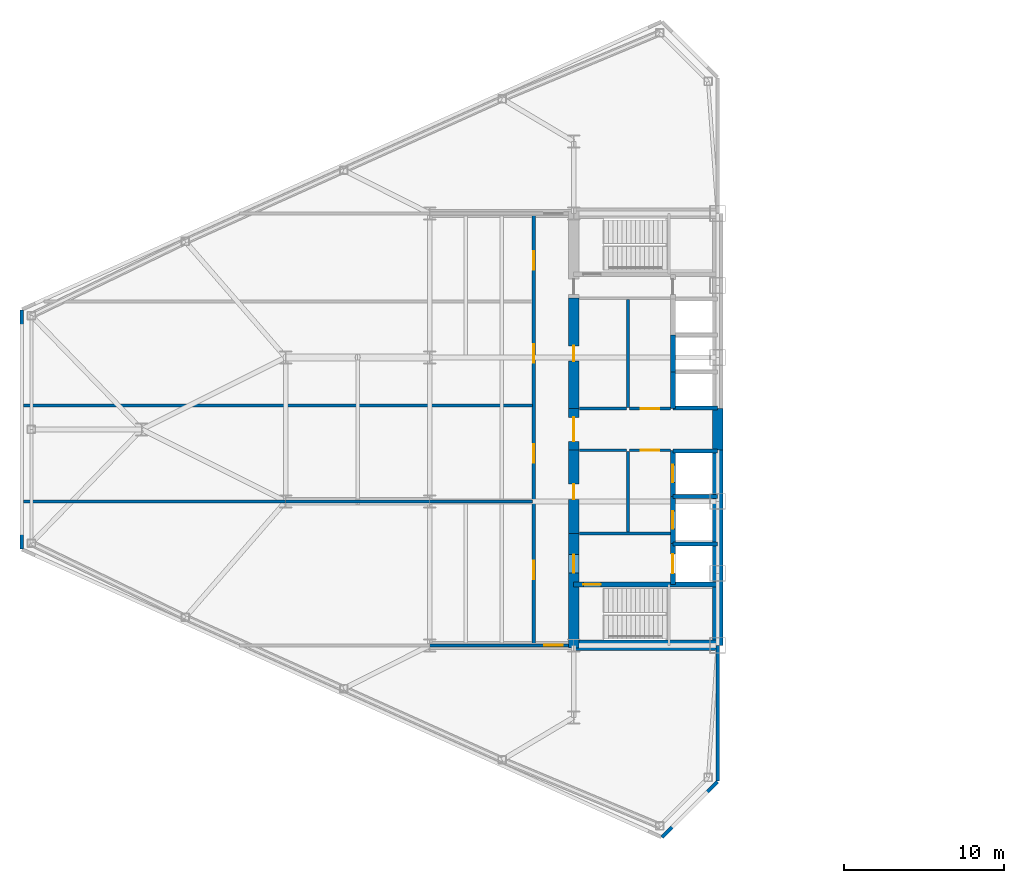
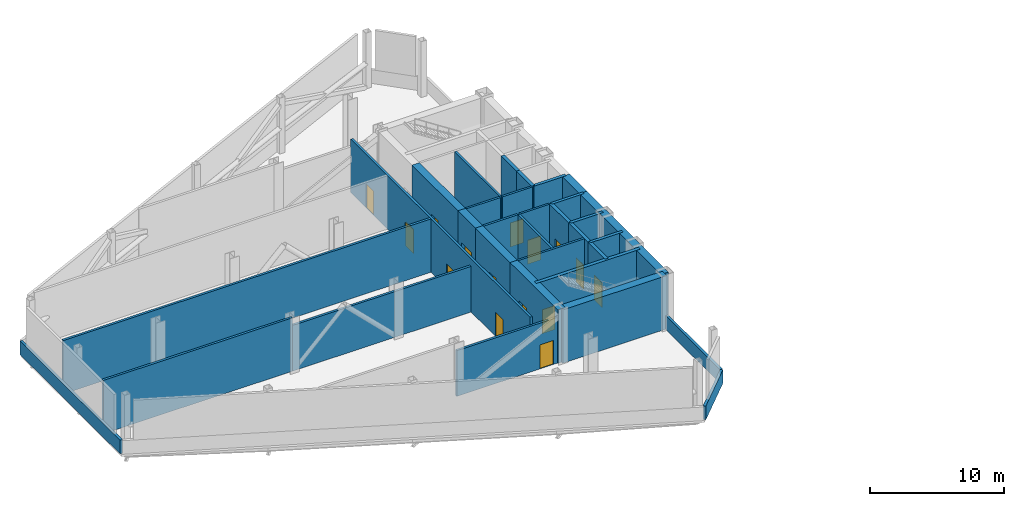
# One storey, part 6 of 11: 32 walls, 15 doors, 15 openings.
"""IFC4 building model written with IfcOpenShell, lengths in metres."""

import ifcopenshell
import ifcopenshell.guid

model = None  # the IFC model being written
_history = None  # IfcOwnerHistory: only IFC2X3 demands one
_inside = {}  # id of a spatial element -> (the spatial element, [elements in it])
_under = {}  # id of a project, library or spatial element -> (it, [spatial elements below it])
_declared = {}  # id of a project -> (the project, [libraries it declares])
_typed = {}  # id of a type object -> (the type object, [elements of that type])
_made_of = {}  # id of a material, layer set ... -> (it, [elements and type objects made of it])


def new_model(schema):
    """Start an empty IFC model of exactly this schema.

    Asked for "IFC4X3", IfcOpenShell would pick the latest addendum, in which some entities
    have other attributes; the version numbers below select the first issue.
    IFC2X3 requires an IfcOwnerHistory on every rooted entity: one is made here for all.
    """
    global model, _history
    if schema == "IFC4X3":
        model = ifcopenshell.file(schema_version=(4, 3, 0, 0))
    else:
        model = ifcopenshell.file(schema=schema)
    _inside.clear()
    _under.clear()
    _declared.clear()
    _typed.clear()
    _made_of.clear()
    _history = None
    if model.schema == "IFC2X3":
        org = make("IfcOrganization", Name="unknown")
        user = make(
            "IfcPersonAndOrganization",
            ThePerson=make("IfcPerson", FamilyName="unknown"),
            TheOrganization=org,
        )
        app = make(
            "IfcApplication",
            ApplicationDeveloper=org,
            Version="unknown",
            ApplicationFullName="unknown",
            ApplicationIdentifier="unknown",
        )
        _history = make(
            "IfcOwnerHistory",
            OwningUser=user,
            OwningApplication=app,
            ChangeAction="ADDED",
            CreationDate=0,
        )
    return model


def make(cls, **values):
    """One entity of the class cls with the attributes given. An attribute that is None is left unset."""
    return model.create_entity(
        cls, **{name: value for name, value in values.items() if value is not None}
    )


def rooted(cls, **values):
    """An entity with a GlobalId (a new one), such as an element, a storey or a relation."""
    return make(cls, GlobalId=ifcopenshell.guid.new(), OwnerHistory=_history, **values)


def si_unit(unit_type, name, prefix=None):
    """IfcSIUnit, for example si_unit("LENGTHUNIT", "METRE", prefix="MILLI")."""
    return make("IfcSIUnit", UnitType=unit_type, Prefix=prefix, Name=name)


def assignment(units):
    """IfcUnitAssignment: the units of a project."""
    return None if units is None else make("IfcUnitAssignment", Units=units)


def point(xyz):
    """IfcCartesianPoint."""
    return None if xyz is None else make("IfcCartesianPoint", Coordinates=xyz)


def direction(xyz):
    """IfcDirection."""
    return None if xyz is None else make("IfcDirection", DirectionRatios=xyz)


def frame(location, z_axis=None, x_axis=None):
    """IfcAxis2Placement3D, a coordinate frame: its origin and axes. An axis left out is left unset."""
    return make(
        "IfcAxis2Placement3D",
        Location=point(location),
        Axis=direction(z_axis),
        RefDirection=direction(x_axis),
    )


def frame_2d(location, x_axis=None):
    """IfcAxis2Placement2D, a coordinate frame in the plane: its origin and x axis."""
    return make(
        "IfcAxis2Placement2D", Location=point(location), RefDirection=direction(x_axis)
    )


def origin():
    """The frame at (0, 0, 0) with its axes left unset."""
    return frame((0.0, 0.0, 0.0))


def place(relative_to, where):
    """IfcLocalPlacement: puts the frame where relative to a parent placement (None: the world)."""
    return make(
        "IfcLocalPlacement", PlacementRelTo=relative_to, RelativePlacement=where
    )


def context(
    kind, dimensions, precision=None, world=None, true_north=None, identifier=None
):
    """IfcGeometricRepresentationContext, for example the 3D "Model" context."""
    return make(
        "IfcGeometricRepresentationContext",
        ContextIdentifier=identifier,
        ContextType=kind,
        CoordinateSpaceDimension=dimensions,
        Precision=precision,
        WorldCoordinateSystem=world,
        TrueNorth=true_north,
    )


def subcontext(parent, identifier, kind, view, scale=None):
    """IfcGeometricRepresentationSubContext, for example "Body" below "Model"."""
    return make(
        "IfcGeometricRepresentationSubContext",
        ContextIdentifier=identifier,
        ContextType=kind,
        ParentContext=parent,
        TargetScale=scale,
        TargetView=view,
    )


def project(units=None, contexts=None):
    """IfcProject with its units and contexts."""
    return rooted(
        "IfcProject",
        Name="project",
        RepresentationContexts=contexts,
        UnitsInContext=assignment(units),
    )


def spatial(cls, under=None, at=None, **own):
    """A site, building, storey or space (cls), placed at a placement, below another one or the project."""
    s = rooted(cls, ObjectPlacement=at, **own)
    if under is not None:
        _under.setdefault(under.id(), (under, []))[1].append(s)
    return s


def profile(cls, at=None, kind="AREA", **sizes):
    """A parametric profile (cls). Its sizes go by their IFC names, for example OverallWidth=200.0."""
    return make(cls, ProfileType=kind, Position=at, **sizes)


def rectangle(**sizes):
    """IfcRectangleProfileDef."""
    return profile("IfcRectangleProfileDef", **sizes)


def extrude(swept, where, along, depth):
    """IfcExtrudedAreaSolid: the profile swept, set in the frame where, extruded along a direction by depth."""
    return make(
        "IfcExtrudedAreaSolid",
        SweptArea=swept,
        Position=where,
        ExtrudedDirection=direction(along),
        Depth=depth,
    )


def shape(context_of_items, identifier, shape_type, items):
    """IfcShapeRepresentation: the items that make up one representation, for example the "Body"."""
    return make(
        "IfcShapeRepresentation",
        ContextOfItems=context_of_items,
        RepresentationIdentifier=identifier,
        RepresentationType=shape_type,
        Items=items,
    )


def source(mapping_origin, context_of_items, identifier, shape_type, items):
    """IfcRepresentationMap: a shape defined once, which mapped items show again and again."""
    return make(
        "IfcRepresentationMap",
        MappingOrigin=mapping_origin,
        MappedRepresentation=shape(context_of_items, identifier, shape_type, items),
    )


def transform(
    local_origin,
    x_axis=None,
    y_axis=None,
    z_axis=None,
    scale=None,
    scale2=None,
    scale3=None,
    uniform=True,
):
    """IfcCartesianTransformationOperator3D, or its non-uniform kind. x_axis, y_axis, z_axis: its Axis1, 2, 3."""
    if uniform:
        return make(
            "IfcCartesianTransformationOperator3D",
            Axis1=direction(x_axis),
            Axis2=direction(y_axis),
            LocalOrigin=point(local_origin),
            Scale=scale,
            Axis3=direction(z_axis),
        )
    return make(
        "IfcCartesianTransformationOperator3DnonUniform",
        Axis1=direction(x_axis),
        Axis2=direction(y_axis),
        LocalOrigin=point(local_origin),
        Scale=scale,
        Axis3=direction(z_axis),
        Scale2=scale2,
        Scale3=scale3,
    )


def mapped(mapping_source, mapping_target):
    """IfcMappedItem: shows the shape of a source again, moved by a transform."""
    return make(
        "IfcMappedItem", MappingSource=mapping_source, MappingTarget=mapping_target
    )


def material(Name=None, Category=None):
    """IfcMaterial."""
    return make("IfcMaterial", Name=Name, Category=Category)


def layer(
    of_material, thickness, ventilated=None, Name=None, Category=None, Priority=None
):
    """IfcMaterialLayer: one layer of a wall or slab, of a material (None: an air gap)."""
    return make(
        "IfcMaterialLayer",
        Material=of_material,
        LayerThickness=thickness,
        IsVentilated=ventilated,
        Name=Name,
        Category=Category,
        Priority=Priority,
    )


def layer_set(layers, Name=None):
    """IfcMaterialLayerSet."""
    return make("IfcMaterialLayerSet", MaterialLayers=layers, LayerSetName=Name)


def made_of(thing, what):
    """Note that an element or type object is made of a material, layer set ...; save() writes the relation."""
    if what is not None:
        _made_of.setdefault(what.id(), (what, []))[1].append(thing)
    return thing


def type_object(cls, material=None, **own):
    """A type object (cls), such as IfcWallType, which elements share."""
    return made_of(rooted(cls, **own), material)


def type_shapes(of_type, sources):
    """Give a type object the sources (RepresentationMaps) that its elements show as mapped items."""
    of_type.RepresentationMaps = sources


def element(
    cls,
    number,
    at=None,
    inside=None,
    cuts=None,
    type_object=None,
    material=None,
    context=None,
    identifier="Body",
    shape_type=None,
    held_by="IfcProductDefinitionShape",
    body=None,
    shapes=None,
    **own,
):
    """One element of the class cls, such as IfcWall. Its Tag is "e" and its number.

    at: its placement. inside: the storey or other place that contains it. cuts: it is an
    opening in that element (IfcRelVoidsElement). A single representation is given by context,
    identifier, shape_type and body (its items); several are given by shapes. held_by: the class
    of the entity that holds the representations. save() writes the other relations.
    """
    e = rooted(cls, Tag="e%d" % number, ObjectPlacement=at, **own)
    if body is not None:
        shapes = [shape(context, identifier, shape_type, body)]
    if shapes is not None:
        e.Representation = make(held_by, Representations=shapes)
    if inside is not None:
        _inside.setdefault(inside.id(), (inside, []))[1].append(e)
    if cuts is not None:
        rooted(
            "IfcRelVoidsElement", RelatingBuildingElement=cuts, RelatedOpeningElement=e
        )
    if type_object is not None:
        _typed.setdefault(type_object.id(), (type_object, []))[1].append(e)
    return made_of(e, material)


def fill(opening, filler):
    """IfcRelFillsElement: the door or window that sits in an opening."""
    return rooted(
        "IfcRelFillsElement",
        RelatingOpeningElement=opening,
        RelatedBuildingElement=filler,
    )


def aggregate(whole, parts):
    """IfcRelAggregates: a whole, such as a stair, and the parts it consists of."""
    return rooted("IfcRelAggregates", RelatingObject=whole, RelatedObjects=parts)


def save(model, path):
    """Write the relations noted so far, then the file.

    IfcRelAggregates (storeys below a building ...), IfcRelContainedInSpatialStructure (elements
    in a storey), IfcRelDefinesByType, IfcRelAssociatesMaterial and IfcRelDeclares: one each for
    every whole, place, type object, material and project.
    """
    for whole, parts in _under.values():
        aggregate(whole, parts)
    for where, things in _inside.values():
        rooted(
            "IfcRelContainedInSpatialStructure",
            RelatedElements=things,
            RelatingStructure=where,
        )
    for kind, things in _typed.values():
        rooted("IfcRelDefinesByType", RelatedObjects=things, RelatingType=kind)
    for what, things in _made_of.values():
        rooted("IfcRelAssociatesMaterial", RelatedObjects=things, RelatingMaterial=what)
    for by, libraries in _declared.values():
        rooted("IfcRelDeclares", RelatingContext=by, RelatedDefinitions=libraries)
    model.write(path)


model = new_model("IFC4")

# Units and contexts
model_context = context("Model", 3, precision=1e-05, world=origin(), true_north=direction((0.0, 1.0)))
body_context = subcontext(model_context, "Body", "Model", "MODEL_VIEW")
ifc_project = project(units=[si_unit("LENGTHUNIT", "METRE"), si_unit("AREAUNIT", "SQUARE_METRE"), si_unit("VOLUMEUNIT", "CUBIC_METRE"), si_unit("PLANEANGLEUNIT", "RADIAN"), si_unit("MASSUNIT", "GRAM", prefix="KILO")], contexts=[model_context])

# Site, building, storey
site_placement = place(None, origin())
site = spatial("IfcSite", under=ifc_project, at=site_placement, CompositionType="ELEMENT")
building_placement = place(site_placement, origin())
building = spatial("IfcBuilding", under=site, at=building_placement, Name="Seokmaru Belvedere", CompositionType="ELEMENT")
storey_placement = place(building_placement, frame((0.0, 0.0, 87.300048828125)))
storey = spatial("IfcBuildingStorey", under=building, at=storey_placement, Name="L23", CompositionType="ELEMENT", Elevation=87.300048828125)

# Walls
ifc_material_1 = material(Name="Fire-Rated Gypsum Shaftwall")
ifc_layer_1 = layer(ifc_material_1, 0.179931640625)
ifc_layer_set_1 = layer_set([ifc_layer_1], Name="Fire-Rated Gypsum Shaftwall")
wall_type_1 = type_object("IfcWallType", Name="Core Service Fire Partition 180", PredefinedType="PARTITIONING", material=ifc_layer_set_1)
wall_1_placement = place(storey_placement, frame((-36.14990234375, -6.5, 0.0), z_axis=(0.0, 0.0, 1.0), x_axis=(1.0, 0.0, 0.0)))
element("IfcWall", 1, at=wall_1_placement, inside=storey, type_object=wall_type_1, Name="L23 West Firefighting Lobby Partition", PredefinedType="PARTITIONING", context=body_context, shape_type="SweptSolid", body=[
    extrude(rectangle(XDim=5.699951171875, YDim=0.179931640625, at=frame_2d((2.85009765625, 0.0))), origin(), (0.0, 0.0, 1.0), 4.8798828125),
])
wall_2_placement = place(storey_placement, frame((-33.10009765625, -6.419921875, 0.0), z_axis=(0.0, 0.0, 1.0), x_axis=(0.0, 1.0, 0.0)))
element("IfcWall", 2, at=wall_2_placement, inside=storey, type_object=wall_type_1, Name="L23 West South Core Service Back Wall", PredefinedType="PARTITIONING", context=body_context, shape_type="SweptSolid", body=[
    extrude(rectangle(XDim=5.0400390625, YDim=0.179931640625, at=frame_2d((2.52001953125, 0.0))), origin(), (0.0, 0.0, 1.0), 4.8798828125),
])
wall_3_placement = place(storey_placement, frame((-33.10009765625, 1.3798828125, 0.0), z_axis=(0.0, 0.0, 1.0), x_axis=(0.0, 1.0, 0.0)))
element("IfcWall", 3, at=wall_3_placement, inside=storey, type_object=wall_type_1, Name="L23 West North Core Service Back Wall", PredefinedType="PARTITIONING", context=body_context, shape_type="SweptSolid", body=[
    extrude(rectangle(XDim=6.740234375, YDim=0.179931640625, at=frame_2d((3.3701171875, 0.0))), origin(), (0.0, 0.0, 1.0), 4.8798828125),
])

# Wall, opening, door
wall_4_placement = place(storey_placement, frame((-33.02001953125, -1.300048828125, 0.0), z_axis=(0.0, 0.0, 1.0), x_axis=(1.0, 0.0, 0.0)))
wall_4 = element("IfcWall", 4, at=wall_4_placement, inside=storey, type_object=wall_type_1, Name="L23 West South Lift Lobby Foyer Wall", PredefinedType="PARTITIONING", context=body_context, shape_type="SweptSolid", body=[
    extrude(rectangle(XDim=2.570068359375, YDim=0.179931640625, at=frame_2d((1.28515625, 0.0))), origin(), (0.0, 0.0, 1.0), 4.8798828125),
])
opening_1_placement = place(wall_4_placement, frame((0.7099609375, 0.0, 0.0)))
opening_1 = element("IfcOpeningElement", 5, at=opening_1_placement, cuts=wall_4, Name="Opening D02", PredefinedType="OPENING", context=body_context, shape_type="SweptSolid", body=[
    extrude(rectangle(XDim=1.14990234375, YDim=2.199951171875, at=frame_2d((0.574951171875, 1.10009765625))), frame((0.0, 0.10009765625, 0.0), z_axis=(0.0, -1.0, 0.0), x_axis=(1.0, 0.0, 0.0)), (0.0, 0.0, 1.0), 0.199951171875),
])
ifc_material_2 = material(Name="Fire-Rated Steel Leaf", Category="steel")
door_type_1 = type_object("IfcDoorType", Name="Lobby and Vestibule Fire Door 1150x2200", OperationType="NOTDEFINED", PredefinedType="DOOR", material=ifc_material_2)
shared_shape_1 = source(origin(), body_context, "Body", "SweptSolid", [
    extrude(rectangle(XDim=1.14990234375, YDim=2.199951171875, at=frame_2d((0.574951171875, 1.10009765625))), frame((0.0, 0.02490234375, 0.0), z_axis=(0.0, -1.0, 0.0), x_axis=(1.0, 0.0, 0.0)), (0.0, 0.0, 1.0), 0.050048828125),
])
type_shapes(door_type_1, [shared_shape_1])
door_1_placement = place(opening_1_placement, origin())
door_1 = element("IfcDoor", 6, at=door_1_placement, inside=storey, type_object=door_type_1, Name="L23 West South Core Foyer Door", OperationType="SINGLE_SWING_LEFT", OverallHeight=2.199951171875, OverallWidth=1.14990234375, PredefinedType="DOOR", context=body_context, shape_type="MappedRepresentation", body=[
    mapped(shared_shape_1, transform((0.0, 0.0, 0.0), scale=1.0)),
])
fill(opening_1, door_1)

wall_5_placement = place(storey_placement, frame((-33.02001953125, 1.300048828125, 0.0), z_axis=(0.0, 0.0, 1.0), x_axis=(1.0, 0.0, 0.0)))
wall_5 = element("IfcWall", 7, at=wall_5_placement, inside=storey, type_object=wall_type_1, Name="L23 West North Lift Lobby Foyer Wall", PredefinedType="PARTITIONING", context=body_context, shape_type="SweptSolid", body=[
    extrude(rectangle(XDim=2.570068359375, YDim=0.179931640625, at=frame_2d((1.28515625, 0.0))), origin(), (0.0, 0.0, 1.0), 4.8798828125),
])
opening_2_placement = place(wall_5_placement, frame((0.7099609375, 0.0, 0.0)))
opening_2 = element("IfcOpeningElement", 8, at=opening_2_placement, cuts=wall_5, Name="Opening D02", PredefinedType="OPENING", context=body_context, shape_type="SweptSolid", body=[
    extrude(rectangle(XDim=1.14990234375, YDim=2.199951171875, at=frame_2d((0.574951171875, 1.10009765625))), frame((0.0, 0.10009765625, 0.0), z_axis=(0.0, -1.0, 0.0), x_axis=(1.0, 0.0, 0.0)), (0.0, 0.0, 1.0), 0.199951171875),
])
door_2_placement = place(opening_2_placement, origin())
door_2 = element("IfcDoor", 9, at=door_2_placement, inside=storey, type_object=door_type_1, Name="L23 West North Lift Lobby Door", OperationType="SINGLE_SWING_RIGHT", OverallHeight=2.199951171875, OverallWidth=1.14990234375, PredefinedType="DOOR", context=body_context, shape_type="MappedRepresentation", body=[
    mapped(shared_shape_1, transform((0.0, 0.0, 0.0), scale=1.0)),
])
fill(opening_2, door_2)

# Walls
for number, where, z_axis, x_axis, name in (
    (10, (-36.14990234375, -1.300048828125, 0.0), (0.0, 0.0, 1.0), (1.0, 0.0, 0.0), "L23 West Foyer Side Wall S"),
    (11, (-36.14990234375, 1.300048828125, 0.0), (0.0, 0.0, 1.0), (1.0, 0.0, 0.0), "L23 West Foyer Side Wall N"),
):
    element("IfcWall", number, at=place(storey_placement, frame(where, z_axis=z_axis, x_axis=x_axis)), inside=storey, type_object=wall_type_1, Name=name, PredefinedType="PARTITIONING", context=body_context, shape_type="SweptSolid", body=[
        extrude(rectangle(XDim=2.949951171875, YDim=0.179931640625, at=frame_2d((1.47509765625, 0.0))), origin(), (0.0, 0.0, 1.0), 4.8798828125),
    ])
ifc_material_3 = material(Name="Concrete C50 (50 MPa)", Category="concrete")
ifc_layer_2 = layer(ifc_material_3, 0.25)
ifc_layer_set_2 = layer_set([ifc_layer_2], Name="Concrete C50 (50 MPa)")
wall_type_2 = type_object("IfcWallType", Name="Hoistway Transverse Concrete Divider Wall 250", PredefinedType="SHEAR", material=ifc_layer_set_2)
for number, where, z_axis, x_axis, name in (
    (12, (-30.300048828125, -7.14990234375, 0.0), (0.0, 0.0, 1.0), (1.0, 0.0, 0.0), "L23 West Hoistway Divider Core Wall 1"),
    (13, (-30.300048828125, -4.199951171875, 0.0), (0.0, 0.0, 1.0), (1.0, 0.0, 0.0), "L23 West Hoistway Divider Core Wall 2"),
    (14, (-30.300048828125, -1.35009765625, 0.0), (0.0, 0.0, 1.0), (1.0, 0.0, 0.0), "L23 West Hoistway Divider Core Wall 3"),
    (15, (-30.300048828125, 1.35009765625, 0.0), (0.0, 0.0, 1.0), (1.0, 0.0, 0.0), "L23 West Hoistway Divider Core Wall 4"),
):
    element("IfcWall", number, at=place(storey_placement, frame(where, z_axis=z_axis, x_axis=x_axis)), inside=storey, type_object=wall_type_2, Name=name, PredefinedType="SHEAR", context=body_context, shape_type="SweptSolid", body=[
        extrude(rectangle(XDim=2.800048828125, YDim=0.25, at=frame_2d((1.39990234375, 0.0))), origin(), (0.0, 0.0, 1.0), 4.8798828125),
    ])

# Wall, opening, door
ifc_layer_3 = layer(ifc_material_1, 0.199951171875)
ifc_layer_set_3 = layer_set([ifc_layer_3], Name="Fire-Rated Gypsum Shaftwall")
wall_type_3 = type_object("IfcWallType", Name="Inter-Tenancy Fire Compartment Partition 200", PredefinedType="PARTITIONING", material=ifc_layer_set_3)
wall_6_placement = place(storey_placement, frame((-45.52001953125, -13.5, 0.0), z_axis=(0.0, 0.0, 1.0), x_axis=(1.0, 0.0, 0.0)))
wall_6 = element("IfcWall", 16, at=wall_6_placement, inside=storey, type_object=wall_type_3, Name="L23 Interior Partition 001 Part 2", PredefinedType="PARTITIONING", context=body_context, shape_type="SweptSolid", body=[
    extrude(rectangle(XDim=8.68994140625, YDim=0.199951171875, at=frame_2d((4.344970703125, 0.0))), origin(), (0.0, 0.0, 1.0), 4.179931640625),
])
opening_3_placement = place(wall_6_placement, frame((7.195068359375, 0.0, 0.0)))
opening_3 = element("IfcOpeningElement", 17, at=opening_3_placement, cuts=wall_6, Name="Opening D02", PredefinedType="OPENING", context=body_context, shape_type="SweptSolid", body=[
    extrude(rectangle(XDim=1.14990234375, YDim=2.199951171875, at=frame_2d((0.574951171875, 1.10009765625))), frame((0.0, 0.10986328125, 0.0), z_axis=(0.0, -1.0, 0.0), x_axis=(1.0, 0.0, 0.0)), (0.0, 0.0, 1.0), 0.219970703125),
])
door_3_placement = place(opening_3_placement, origin())
door_3 = element("IfcDoor", 18, at=door_3_placement, inside=storey, type_object=door_type_1, Name="L23 Interior Door 001", OperationType="SINGLE_SWING_LEFT", OverallHeight=2.199951171875, OverallWidth=1.14990234375, PredefinedType="DOOR", context=body_context, shape_type="MappedRepresentation", body=[
    mapped(shared_shape_1, transform((0.0, 0.0, 0.0), scale=1.0)),
])
fill(opening_3, door_3)

# Walls
wall_7_placement = place(storey_placement, frame((-70.885009765625, -4.5, 0.0), z_axis=(0.0, 0.0, 1.0), x_axis=(1.0, 0.0, 0.0)))
element("IfcWall", 19, at=wall_7_placement, inside=storey, type_object=wall_type_3, Name="L23 Interior Partition 003", PredefinedType="PARTITIONING", context=body_context, shape_type="SweptSolid", body=[
    extrude(rectangle(XDim=16.364990234375, YDim=0.199951171875, at=frame_2d((8.1826171875, 0.0))), origin(), (0.0, 0.0, 1.0), 4.8798828125),
])
wall_8_placement = place(storey_placement, frame((-54.52001953125, -4.5, 0.0), z_axis=(0.0, 0.0, 1.0), x_axis=(1.0, 0.0, 0.0)))
element("IfcWall", 20, at=wall_8_placement, inside=storey, type_object=wall_type_3, Name="L23 Interior Partition 003 Part 2", PredefinedType="PARTITIONING", context=body_context, shape_type="SweptSolid", body=[
    extrude(rectangle(XDim=15.43505859375, YDim=0.199951171875, at=frame_2d((7.717529296875, 0.0))), origin(), (0.0, 0.0, 1.0), 4.179931640625),
])
wall_9_placement = place(storey_placement, frame((-70.885009765625, 1.5, 0.0), z_axis=(0.0, 0.0, 1.0), x_axis=(1.0, 0.0, 0.0)))
element("IfcWall", 21, at=wall_9_placement, inside=storey, type_object=wall_type_3, Name="L23 Interior Partition 005", PredefinedType="PARTITIONING", context=body_context, shape_type="SweptSolid", body=[
    extrude(rectangle(XDim=31.800048828125, YDim=0.199951171875, at=frame_2d((15.89990234375, 0.0))), origin(), (0.0, 0.0, 1.0), 4.8798828125),
])

# Wall, openings, doors
wall_10_placement = place(storey_placement, frame((-39.0, -13.4150390625, 0.0), z_axis=(0.0, 0.0, 1.0), x_axis=(0.0, 1.0, 0.0)))
wall_10 = element("IfcWall", 22, at=wall_10_placement, inside=storey, type_object=wall_type_3, Name="L23 Interior Partition 011", PredefinedType="PARTITIONING", context=body_context, shape_type="SweptSolid", body=[
    extrude(rectangle(XDim=26.830078125, YDim=0.199951171875, at=frame_2d((13.4150390625, 0.0))), origin(), (0.0, 0.0, 1.0), 4.8798828125),
])
opening_4_placement = place(wall_10_placement, frame((4.0400390625, 0.0, 0.0)))
opening_4 = element("IfcOpeningElement", 23, at=opening_4_placement, cuts=wall_10, Name="Opening D02", PredefinedType="OPENING", context=body_context, shape_type="SweptSolid", body=[
    extrude(rectangle(XDim=1.14990234375, YDim=2.199951171875, at=frame_2d((0.574951171875, 1.10009765625))), frame((0.0, 0.10986328125, 0.0), z_axis=(0.0, -1.0, 0.0), x_axis=(1.0, 0.0, 0.0)), (0.0, 0.0, 1.0), 0.219970703125),
])
opening_5_placement = place(wall_10_placement, frame((11.340087890625, 0.0, 0.0)))
opening_5 = element("IfcOpeningElement", 24, at=opening_5_placement, cuts=wall_10, Name="Opening D02", PredefinedType="OPENING", context=body_context, shape_type="SweptSolid", body=[
    extrude(rectangle(XDim=1.14990234375, YDim=2.199951171875, at=frame_2d((0.574951171875, 1.10009765625))), frame((0.0, 0.10986328125, 0.0), z_axis=(0.0, -1.0, 0.0), x_axis=(1.0, 0.0, 0.0)), (0.0, 0.0, 1.0), 0.219970703125),
])
opening_6_placement = place(wall_10_placement, frame((17.590087890625, 0.0, 0.0)))
opening_6 = element("IfcOpeningElement", 25, at=opening_6_placement, cuts=wall_10, Name="Opening D02", PredefinedType="OPENING", context=body_context, shape_type="SweptSolid", body=[
    extrude(rectangle(XDim=1.14990234375, YDim=2.199951171875, at=frame_2d((0.574951171875, 1.10009765625))), frame((0.0, 0.10986328125, 0.0), z_axis=(0.0, -1.0, 0.0), x_axis=(1.0, 0.0, 0.0)), (0.0, 0.0, 1.0), 0.219970703125),
])
opening_7_placement = place(wall_10_placement, frame((23.389892578125, 0.0, 0.0)))
opening_7 = element("IfcOpeningElement", 26, at=opening_7_placement, cuts=wall_10, Name="Opening D02", PredefinedType="OPENING", context=body_context, shape_type="SweptSolid", body=[
    extrude(rectangle(XDim=1.14990234375, YDim=2.199951171875, at=frame_2d((0.574951171875, 1.10009765625))), frame((0.0, 0.10986328125, 0.0), z_axis=(0.0, -1.0, 0.0), x_axis=(1.0, 0.0, 0.0)), (0.0, 0.0, 1.0), 0.219970703125),
])
door_4_placement = place(opening_4_placement, origin())
door_4 = element("IfcDoor", 27, at=door_4_placement, inside=storey, type_object=door_type_1, Name="L23 Interior Door 003", OperationType="SINGLE_SWING_LEFT", OverallHeight=2.199951171875, OverallWidth=1.14990234375, PredefinedType="DOOR", context=body_context, shape_type="MappedRepresentation", body=[
    mapped(shared_shape_1, transform((0.0, 0.0, 0.0), scale=1.0)),
])
fill(opening_4, door_4)
door_5_placement = place(opening_5_placement, origin())
door_5 = element("IfcDoor", 28, at=door_5_placement, inside=storey, type_object=door_type_1, Name="L23 Interior Door 004", OperationType="SINGLE_SWING_RIGHT", OverallHeight=2.199951171875, OverallWidth=1.14990234375, PredefinedType="DOOR", context=body_context, shape_type="MappedRepresentation", body=[
    mapped(shared_shape_1, transform((0.0, 0.0, 0.0), scale=1.0)),
])
fill(opening_5, door_5)
door_6_placement = place(opening_6_placement, origin())
door_6 = element("IfcDoor", 29, at=door_6_placement, inside=storey, type_object=door_type_1, Name="L23 Interior Door 005", OperationType="SINGLE_SWING_LEFT", OverallHeight=2.199951171875, OverallWidth=1.14990234375, PredefinedType="DOOR", context=body_context, shape_type="MappedRepresentation", body=[
    mapped(shared_shape_1, transform((0.0, 0.0, 0.0), scale=1.0)),
])
fill(opening_6, door_6)
door_7_placement = place(opening_7_placement, origin())
door_7 = element("IfcDoor", 30, at=door_7_placement, inside=storey, type_object=door_type_1, Name="L23 Interior Door 006", OperationType="SINGLE_SWING_RIGHT", OverallHeight=2.199951171875, OverallWidth=1.14990234375, PredefinedType="DOOR", context=body_context, shape_type="MappedRepresentation", body=[
    mapped(shared_shape_1, transform((0.0, 0.0, 0.0), scale=1.0)),
])
fill(opening_7, door_7)

# Wall, opening, door
ifc_layer_4 = layer(ifc_material_3, 0.300048828125)
ifc_layer_set_4 = layer_set([ifc_layer_4], Name="Concrete C50 (50 MPa)")
wall_type_4 = type_object("IfcWallType", Name="Internal Core Stair and Hoistway Wall 300", PredefinedType="SHEAR", material=ifc_layer_set_4)
wall_11_placement = place(storey_placement, frame((-36.5, -9.699951171875, 0.0), z_axis=(0.0, 0.0, 1.0), x_axis=(1.0, 0.0, 0.0)))
wall_11 = element("IfcWall", 31, at=wall_11_placement, inside=storey, type_object=wall_type_4, Name="L23 West Stair ST-1 Enclosure Wall", PredefinedType="SHEAR", context=body_context, shape_type="SweptSolid", body=[
    extrude(rectangle(XDim=9.0, YDim=0.300048828125, at=frame_2d((4.5, 0.0))), origin(), (0.0, 0.0, 1.0), 4.8798828125),
])
opening_8_placement = place(wall_11_placement, frame((0.60009765625, 0.0, 0.0)))
opening_8 = element("IfcOpeningElement", 32, at=opening_8_placement, cuts=wall_11, Name="Opening D01", PredefinedType="OPENING", context=body_context, shape_type="SweptSolid", body=[
    extrude(rectangle(XDim=1.10009765625, YDim=2.199951171875, at=frame_2d((0.550048828125, 1.10009765625))), frame((0.0, 0.16015625, 0.0), z_axis=(0.0, -1.0, 0.0), x_axis=(1.0, 0.0, 0.0)), (0.0, 0.0, 1.0), 0.320068359375),
])
door_type_2 = type_object("IfcDoorType", Name="Special Escape Stair Smokeproof Fire Door 1100x2200", OperationType="NOTDEFINED", PredefinedType="DOOR", material=ifc_material_2)
shared_shape_2 = source(origin(), body_context, "Body", "SweptSolid", [
    extrude(rectangle(XDim=1.10009765625, YDim=2.199951171875, at=frame_2d((0.550048828125, 1.10009765625))), frame((0.0, 0.02490234375, 0.0), z_axis=(0.0, -1.0, 0.0), x_axis=(1.0, 0.0, 0.0)), (0.0, 0.0, 1.0), 0.050048828125),
])
type_shapes(door_type_2, [shared_shape_2])
door_8_placement = place(opening_8_placement, frame((1.10009765625, 0.0, 0.0), z_axis=(0.0, 0.0, 1.0), x_axis=(-1.0, 0.0, 0.0)))
door_8 = element("IfcDoor", 33, at=door_8_placement, inside=storey, type_object=door_type_2, Name="L23 West Special Escape Stair ST-1 Door", OperationType="SINGLE_SWING_LEFT", OverallHeight=2.199951171875, OverallWidth=1.10009765625, PredefinedType="DOOR", context=body_context, shape_type="MappedRepresentation", body=[
    mapped(shared_shape_2, transform((0.0, 0.0, 0.0), scale=1.0)),
])
fill(opening_8, door_8)

wall_12_placement = place(storey_placement, frame((-30.300048828125, -9.679931640625, 0.0), z_axis=(0.0, 0.0, 1.0), x_axis=(0.0, 1.0, 0.0)))
wall_12 = element("IfcWall", 34, at=wall_12_placement, inside=storey, type_object=wall_type_4, Name="L23 West Firefighting Lift Shaft Front Wall", PredefinedType="SHEAR", context=body_context, shape_type="SweptSolid", body=[
    extrude(rectangle(XDim=2.559814453125, YDim=0.300048828125, at=frame_2d((1.27978515625, 0.0))), origin(), (0.0, 0.0, 1.0), 4.8798828125),
])
opening_9_placement = place(wall_12_placement, frame((0.679931640625, 0.0, 0.0)))
opening_9 = element("IfcOpeningElement", 35, at=opening_9_placement, cuts=wall_12, Name="Opening LD2", PredefinedType="OPENING", context=body_context, shape_type="SweptSolid", body=[
    extrude(rectangle(XDim=1.199951171875, YDim=2.25, at=frame_2d((0.60009765625, 1.125))), frame((0.0, 0.16015625, 0.0), z_axis=(0.0, -1.0, 0.0), x_axis=(1.0, 0.0, 0.0)), (0.0, 0.0, 1.0), 0.320068359375),
])
ifc_material_4 = material(Name="Stainless Steel 316", Category="steel")
door_type_3 = type_object("IfcDoorType", Name="Firefighting Lift Sliding Landing Door 1200x2250", OperationType="DOUBLE_DOOR_SLIDING", PredefinedType="DOOR", material=ifc_material_4)
shared_shape_3 = source(origin(), body_context, "Body", "SweptSolid", [
    extrude(rectangle(XDim=1.199951171875, YDim=2.25, at=frame_2d((0.60009765625, 1.125))), frame((0.0, 0.02490234375, 0.0), z_axis=(0.0, -1.0, 0.0), x_axis=(1.0, 0.0, 0.0)), (0.0, 0.0, 1.0), 0.050048828125),
])
type_shapes(door_type_3, [shared_shape_3])
door_9_placement = place(opening_9_placement, origin())
door_9 = element("IfcDoor", 36, at=door_9_placement, inside=storey, type_object=door_type_3, Name="L23 West Firefighting Lift Landing Door", OperationType="DOUBLE_DOOR_SLIDING", OverallHeight=2.25, OverallWidth=1.199951171875, PredefinedType="DOOR", context=body_context, shape_type="MappedRepresentation", body=[
    mapped(shared_shape_3, transform((0.0, 0.0, 0.0), scale=1.0)),
])
fill(opening_9, door_9)

wall_13_placement = place(storey_placement, frame((-30.300048828125, -7.1201171875, 0.0), z_axis=(0.0, 0.0, 1.0), x_axis=(0.0, 1.0, 0.0)))
wall_13 = element("IfcWall", 37, at=wall_13_placement, inside=storey, type_object=wall_type_4, Name="L23 West Low-Rise Lift PL-1 Front Wall", PredefinedType="SHEAR", context=body_context, shape_type="SweptSolid", body=[
    extrude(rectangle(XDim=2.920166015625, YDim=0.300048828125, at=frame_2d((1.4599609375, 0.0))), origin(), (0.0, 0.0, 1.0), 4.8798828125),
])
opening_10_placement = place(wall_13_placement, frame((0.909912109375, 0.0, 0.0)))
opening_10 = element("IfcOpeningElement", 38, at=opening_10_placement, cuts=wall_13, Name="Opening LD1", PredefinedType="OPENING", context=body_context, shape_type="SweptSolid", body=[
    extrude(rectangle(XDim=1.10009765625, YDim=2.199951171875, at=frame_2d((0.550048828125, 1.10009765625))), frame((0.0, 0.16015625, 0.0), z_axis=(0.0, -1.0, 0.0), x_axis=(1.0, 0.0, 0.0)), (0.0, 0.0, 1.0), 0.320068359375),
])
door_type_4 = type_object("IfcDoorType", Name="Passenger Lift Sliding Landing Door 1100x2200", OperationType="DOUBLE_DOOR_SLIDING", PredefinedType="DOOR", material=ifc_material_4)
shared_shape_4 = source(origin(), body_context, "Body", "SweptSolid", [
    extrude(rectangle(XDim=1.10009765625, YDim=2.199951171875, at=frame_2d((0.550048828125, 1.10009765625))), frame((0.0, 0.02490234375, 0.0), z_axis=(0.0, -1.0, 0.0), x_axis=(1.0, 0.0, 0.0)), (0.0, 0.0, 1.0), 0.050048828125),
])
type_shapes(door_type_4, [shared_shape_4])
door_10_placement = place(opening_10_placement, origin())
door_10 = element("IfcDoor", 39, at=door_10_placement, inside=storey, type_object=door_type_4, Name="L23 West Low-Rise Lift PL-1 Landing Door", OperationType="DOUBLE_DOOR_SLIDING", OverallHeight=2.199951171875, OverallWidth=1.10009765625, PredefinedType="DOOR", context=body_context, shape_type="MappedRepresentation", body=[
    mapped(shared_shape_4, transform((0.0, 0.0, 0.0), scale=1.0)),
])
fill(opening_10, door_10)

wall_14_placement = place(storey_placement, frame((-30.300048828125, -4.199951171875, 0.0), z_axis=(0.0, 0.0, 1.0), x_axis=(0.0, 1.0, 0.0)))
wall_14 = element("IfcWall", 40, at=wall_14_placement, inside=storey, type_object=wall_type_4, Name="L23 West Low-Rise Lift PL-2 Front Wall", PredefinedType="SHEAR", context=body_context, shape_type="SweptSolid", body=[
    extrude(rectangle(XDim=2.8798828125, YDim=0.300048828125, at=frame_2d((1.43994140625, 0.0))), origin(), (0.0, 0.0, 1.0), 4.8798828125),
])
opening_11_placement = place(wall_14_placement, frame((0.889892578125, 0.0, 0.0)))
opening_11 = element("IfcOpeningElement", 41, at=opening_11_placement, cuts=wall_14, Name="Opening LD1", PredefinedType="OPENING", context=body_context, shape_type="SweptSolid", body=[
    extrude(rectangle(XDim=1.10009765625, YDim=2.199951171875, at=frame_2d((0.550048828125, 1.10009765625))), frame((0.0, 0.16015625, 0.0), z_axis=(0.0, -1.0, 0.0), x_axis=(1.0, 0.0, 0.0)), (0.0, 0.0, 1.0), 0.320068359375),
])
door_11_placement = place(opening_11_placement, origin())
door_11 = element("IfcDoor", 42, at=door_11_placement, inside=storey, type_object=door_type_4, Name="L23 West Low-Rise Lift PL-2 Landing Door", OperationType="DOUBLE_DOOR_SLIDING", OverallHeight=2.199951171875, OverallWidth=1.10009765625, PredefinedType="DOOR", context=body_context, shape_type="MappedRepresentation", body=[
    mapped(shared_shape_4, transform((0.0, 0.0, 0.0), scale=1.0)),
])
fill(opening_11, door_11)

# Walls
wall_15_placement = place(storey_placement, frame((-30.300048828125, 1.320068359375, 0.0), z_axis=(0.0, 0.0, 1.0), x_axis=(0.0, 1.0, 0.0)))
element("IfcWall", 43, at=wall_15_placement, inside=storey, type_object=wall_type_4, Name="L23 West North Hoistway Wall PH1", PredefinedType="SHEAR", context=body_context, shape_type="SweptSolid", body=[
    extrude(rectangle(XDim=2.280029296875, YDim=0.300048828125, at=frame_2d((1.14013671875, 0.0))), origin(), (0.0, 0.0, 1.0), 4.8798828125),
])
wall_16_placement = place(storey_placement, frame((-30.300048828125, 3.60009765625, 0.0), z_axis=(0.0, 0.0, 1.0), x_axis=(0.0, 1.0, 0.0)))
element("IfcWall", 44, at=wall_16_placement, inside=storey, type_object=wall_type_4, Name="L23 West North Hoistway Wall PH2", PredefinedType="SHEAR", context=body_context, shape_type="SweptSolid", body=[
    extrude(rectangle(XDim=2.2998046875, YDim=0.300048828125, at=frame_2d((1.14990234375, 0.0))), origin(), (0.0, 0.0, 1.0), 4.8798828125),
])
ifc_material_5 = material(Name="Concrete C60 (60 MPa)", Category="concrete")
ifc_layer_5 = layer(ifc_material_5, 0.64990234375)
ifc_layer_set_5 = layer_set([ifc_layer_5], Name="Concrete C60 (60 MPa)")
wall_type_5 = type_object("IfcWallType", Name="Mid-Low Reinforced Concrete Core Wall 650", PredefinedType="SHEAR", material=ifc_layer_set_5)
wall_17_placement = place(storey_placement, frame((-27.5, -13.5, 0.0), z_axis=(0.0, 0.0, 1.0), x_axis=(0.0, 1.0, 0.0)))
element("IfcWall", 45, at=wall_17_placement, inside=storey, type_object=wall_type_5, Name="L23 West Portal Spine Core Wall South", PredefinedType="SHEAR", context=body_context, shape_type="SweptSolid", body=[
    extrude(rectangle(XDim=12.199951171875, YDim=0.64990234375, at=frame_2d((6.10009765625, 0.0))), origin(), (0.0, 0.0, 1.0), 4.8798828125),
])
wall_18_placement = place(storey_placement, frame((-27.5, -1.300048828125, 0.0), z_axis=(0.0, 0.0, 1.0), x_axis=(0.0, 1.0, 0.0)))
element("IfcWall", 46, at=wall_18_placement, inside=storey, type_object=wall_type_5, Name="L23 West Portal Spine Core Wall Center", PredefinedType="SHEAR", context=body_context, shape_type="SweptSolid", body=[
    extrude(rectangle(XDim=2.60009765625, YDim=0.64990234375, at=frame_2d((1.300048828125, 0.0))), origin(), (0.0, 0.0, 1.0), 4.8798828125),
])
wall_19_placement = place(storey_placement, frame((-36.5, -13.5, 0.0), z_axis=(0.0, 0.0, 1.0), x_axis=(1.0, 0.0, 0.0)))
element("IfcWall", 47, at=wall_19_placement, inside=storey, type_object=wall_type_5, Name="L23 West South Core Wall", PredefinedType="SHEAR", context=body_context, shape_type="SweptSolid", body=[
    extrude(rectangle(XDim=9.0, YDim=0.64990234375, at=frame_2d((4.5, 0.0))), origin(), (0.0, 0.0, 1.0), 4.8798828125),
])

# Wall, opening, door
wall_20_placement = place(storey_placement, frame((-36.5, -13.64990234375, 0.0), z_axis=(0.0, 0.0, 1.0), x_axis=(0.0, 1.0, 0.0)))
wall_20 = element("IfcWall", 48, at=wall_20_placement, inside=storey, type_object=wall_type_5, Name="L23 West West Core Wall FF", PredefinedType="SHEAR", context=body_context, shape_type="SweptSolid", body=[
    extrude(rectangle(XDim=7.14990234375, YDim=0.64990234375, at=frame_2d((3.574951171875, 0.0))), origin(), (0.0, 0.0, 1.0), 4.8798828125),
])
opening_12_placement = place(wall_20_placement, frame((4.675048828125, 0.0, 0.0)))
opening_12 = element("IfcOpeningElement", 49, at=opening_12_placement, cuts=wall_20, Name="Opening D02", PredefinedType="OPENING", context=body_context, shape_type="SweptSolid", body=[
    extrude(rectangle(XDim=1.14990234375, YDim=2.199951171875, at=frame_2d((0.574951171875, 1.10009765625))), frame((0.0, 0.3349609375, 0.0), z_axis=(0.0, -1.0, 0.0), x_axis=(1.0, 0.0, 0.0)), (0.0, 0.0, 1.0), 0.669921875),
])
door_12_placement = place(opening_12_placement, frame((1.14990234375, 0.0, 0.0), z_axis=(0.0, 0.0, 1.0), x_axis=(-1.0, 0.0, 0.0)))
door_12 = element("IfcDoor", 50, at=door_12_placement, inside=storey, type_object=door_type_1, Name="L23 West Firefighting Lobby Door", OperationType="SINGLE_SWING_LEFT", OverallHeight=2.199951171875, OverallWidth=1.14990234375, PredefinedType="DOOR", context=body_context, shape_type="MappedRepresentation", body=[
    mapped(shared_shape_1, transform((0.0, 0.0, 0.0), scale=1.0)),
])
fill(opening_12, door_12)

wall_21_placement = place(storey_placement, frame((-36.5, -1.300048828125, 0.0), z_axis=(0.0, 0.0, 1.0), x_axis=(0.0, 1.0, 0.0)))
wall_21 = element("IfcWall", 51, at=wall_21_placement, inside=storey, type_object=wall_type_5, Name="L23 West West Core Wall FOY", PredefinedType="SHEAR", context=body_context, shape_type="SweptSolid", body=[
    extrude(rectangle(XDim=2.60009765625, YDim=0.64990234375, at=frame_2d((1.300048828125, 0.0))), origin(), (0.0, 0.0, 1.0), 4.8798828125),
])
opening_13_placement = place(wall_21_placement, frame((0.550048828125, 0.0, 0.0)))
opening_13 = element("IfcOpeningElement", 52, at=opening_13_placement, cuts=wall_21, Name="Opening D08", PredefinedType="OPENING", context=body_context, shape_type="SweptSolid", body=[
    extrude(rectangle(XDim=1.5, YDim=2.300048828125, at=frame_2d((0.75, 1.14990234375))), frame((0.0, 0.3349609375, 0.0), z_axis=(0.0, -1.0, 0.0), x_axis=(1.0, 0.0, 0.0)), (0.0, 0.0, 1.0), 0.669921875),
])
door_type_5 = type_object("IfcDoorType", Name="Cross-Corridor Compartment Double Fire Door 1500x2300", OperationType="DOUBLE_SWING_LEFT", PredefinedType="DOOR", material=ifc_material_2)
shared_shape_5 = source(origin(), body_context, "Body", "SweptSolid", [
    extrude(rectangle(XDim=1.5, YDim=2.300048828125, at=frame_2d((0.75, 1.14990234375))), frame((0.0, 0.02490234375, 0.0), z_axis=(0.0, -1.0, 0.0), x_axis=(1.0, 0.0, 0.0)), (0.0, 0.0, 1.0), 0.050048828125),
])
type_shapes(door_type_5, [shared_shape_5])
door_13_placement = place(opening_13_placement, origin())
door_13 = element("IfcDoor", 53, at=door_13_placement, inside=storey, type_object=door_type_5, Name="L23 West Core Foyer Compartment Door", OperationType="DOUBLE_SWING_LEFT", OverallHeight=2.300048828125, OverallWidth=1.5, PredefinedType="DOOR", context=body_context, shape_type="MappedRepresentation", body=[
    mapped(shared_shape_5, transform((0.0, 0.0, 0.0), scale=1.0)),
])
fill(opening_13, door_13)

wall_22_placement = place(storey_placement, frame((-36.5, -6.5, 0.0), z_axis=(0.0, 0.0, 1.0), x_axis=(0.0, 1.0, 0.0)))
wall_22 = element("IfcWall", 54, at=wall_22_placement, inside=storey, type_object=wall_type_5, Name="L23 West West Core Wall CS1", PredefinedType="SHEAR", context=body_context, shape_type="SweptSolid", body=[
    extrude(rectangle(XDim=5.199951171875, YDim=0.64990234375, at=frame_2d((2.60009765625, 0.0))), origin(), (0.0, 0.0, 1.0), 4.8798828125),
])
opening_14_placement = place(wall_22_placement, frame((2.125, 0.0, 0.0)))
opening_14 = element("IfcOpeningElement", 55, at=opening_14_placement, cuts=wall_22, Name="Opening D04", PredefinedType="OPENING", context=body_context, shape_type="SweptSolid", body=[
    extrude(rectangle(XDim=0.949951171875, YDim=2.14990234375, at=frame_2d((0.47509765625, 1.074951171875))), frame((0.0, 0.3349609375, 0.0), z_axis=(0.0, -1.0, 0.0), x_axis=(1.0, 0.0, 0.0)), (0.0, 0.0, 1.0), 0.669921875),
])
door_type_6 = type_object("IfcDoorType", Name="Core Service Room Fire Door 950x2150", OperationType="NOTDEFINED", PredefinedType="DOOR", material=ifc_material_2)
shared_shape_6 = source(origin(), body_context, "Body", "SweptSolid", [
    extrude(rectangle(XDim=0.949951171875, YDim=2.14990234375, at=frame_2d((0.47509765625, 1.074951171875))), frame((0.0, 0.02490234375, 0.0), z_axis=(0.0, -1.0, 0.0), x_axis=(1.0, 0.0, 0.0)), (0.0, 0.0, 1.0), 0.050048828125),
])
type_shapes(door_type_6, [shared_shape_6])
door_14_placement = place(opening_14_placement, origin())
door_14 = element("IfcDoor", 56, at=door_14_placement, inside=storey, type_object=door_type_6, Name="L23 West Core Service Room Door 1", OperationType="SINGLE_SWING_LEFT", OverallHeight=2.14990234375, OverallWidth=0.949951171875, PredefinedType="DOOR", context=body_context, shape_type="MappedRepresentation", body=[
    mapped(shared_shape_6, transform((0.0, 0.0, 0.0), scale=1.0)),
])
fill(opening_14, door_14)

wall_23_placement = place(storey_placement, frame((-36.5, 1.300048828125, 0.0), z_axis=(0.0, 0.0, 1.0), x_axis=(0.0, 1.0, 0.0)))
wall_23 = element("IfcWall", 57, at=wall_23_placement, inside=storey, type_object=wall_type_5, Name="L23 West West Core Wall CS2", PredefinedType="SHEAR", context=body_context, shape_type="SweptSolid", body=[
    extrude(rectangle(XDim=6.89990234375, YDim=0.64990234375, at=frame_2d((3.449951171875, 0.0))), origin(), (0.0, 0.0, 1.0), 4.8798828125),
])
opening_15_placement = place(wall_23_placement, frame((2.97509765625, 0.0, 0.0)))
opening_15 = element("IfcOpeningElement", 58, at=opening_15_placement, cuts=wall_23, Name="Opening D04", PredefinedType="OPENING", context=body_context, shape_type="SweptSolid", body=[
    extrude(rectangle(XDim=0.949951171875, YDim=2.14990234375, at=frame_2d((0.47509765625, 1.074951171875))), frame((0.0, 0.3349609375, 0.0), z_axis=(0.0, -1.0, 0.0), x_axis=(1.0, 0.0, 0.0)), (0.0, 0.0, 1.0), 0.669921875),
])
door_15_placement = place(opening_15_placement, origin())
door_15 = element("IfcDoor", 59, at=door_15_placement, inside=storey, type_object=door_type_6, Name="L23 West Core Service Room Door 2", OperationType="SINGLE_SWING_RIGHT", OverallHeight=2.14990234375, OverallWidth=0.949951171875, PredefinedType="DOOR", context=body_context, shape_type="MappedRepresentation", body=[
    mapped(shared_shape_6, transform((0.0, 0.0, 0.0), scale=1.0)),
])
fill(opening_15, door_15)

# Walls
ifc_material_6 = material(Name="Concrete C40 (40 MPa)", Category="concrete")
ifc_layer_6 = layer(ifc_material_6, 0.219970703125)
ifc_layer_set_6 = layer_set([ifc_layer_6], Name="Concrete C40 (40 MPa)")
wall_type_6 = type_object("IfcWallType", Name="Refuge and Roof Concrete Parapet 220", PredefinedType="PARAPET", material=ifc_layer_set_6)
wall_24_placement = place(storey_placement, frame((-27.5, -21.97998046875, 0.0), z_axis=(0.0, 0.0, 1.0), x_axis=(0.0, 1.0, 0.0)))
element("IfcWall", 60, at=wall_24_placement, inside=storey, type_object=wall_type_6, Name="L23 W Refuge Spine Shoulder Parapet 1", PredefinedType="PARAPET", context=body_context, shape_type="SweptSolid", body=[
    extrude(rectangle(XDim=8.4599609375, YDim=0.219970703125, at=frame_2d((4.22998046875, 0.0))), origin(), (0.0, 0.0, 1.0), 1.25),
])
wall_25_placement = place(storey_placement, frame((-71.0, 7.47998046875, 0.0), z_axis=(0.0, 0.0, 1.0), x_axis=(0.0, -1.0, 0.0)))
element("IfcWall", 61, at=wall_25_placement, inside=storey, type_object=wall_type_6, Name="L23 W Refuge Perimeter Parapet 4", PredefinedType="PARAPET", context=body_context, shape_type="SweptSolid", body=[
    extrude(rectangle(XDim=14.9599609375, YDim=0.219970703125, at=frame_2d((7.47998046875, 0.0))), origin(), (0.0, 0.0, 1.0), 1.25),
])
wall_26_placement = place(storey_placement, frame((-30.98583984375, -25.48583984375, 0.0), z_axis=(0.0, 0.0, 1.0), x_axis=(0.707106781187, 0.707106781187, 0.0)))
element("IfcWall", 62, at=wall_26_placement, inside=storey, type_object=wall_type_6, Name="L23 W Refuge Perimeter Parapet 6", PredefinedType="PARAPET", context=body_context, shape_type="SweptSolid", body=[
    extrude(rectangle(XDim=4.90966796875, YDim=0.219970703125, at=frame_2d((2.454833984375, 0.0))), origin(), (0.0, 0.0, 1.0), 1.25),
])

save(model, "model.ifc")
